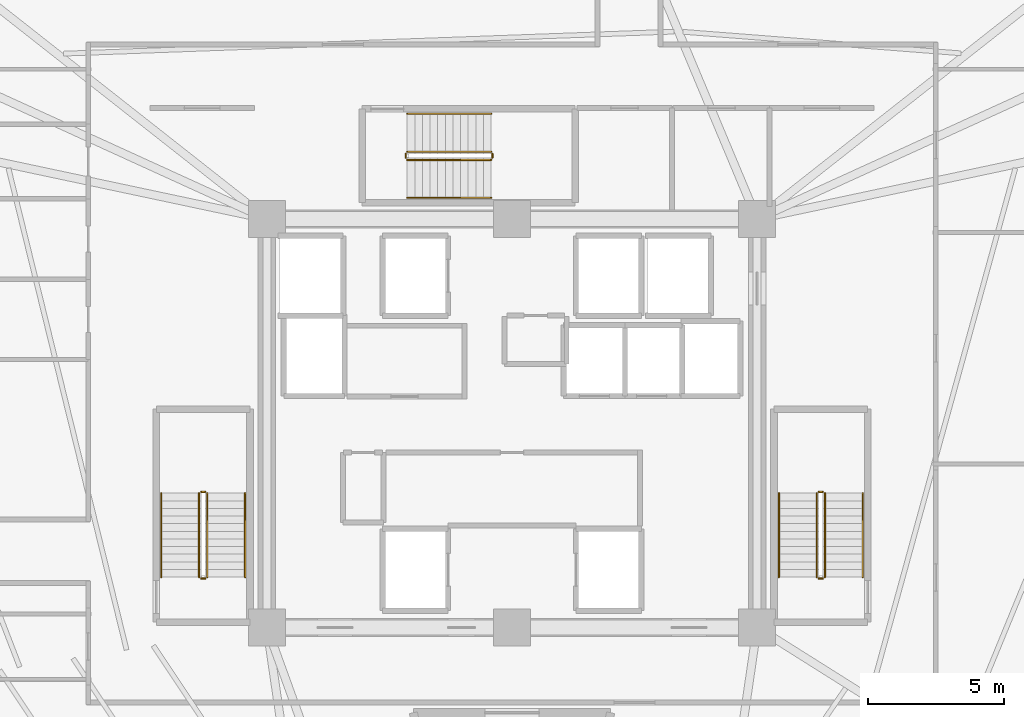
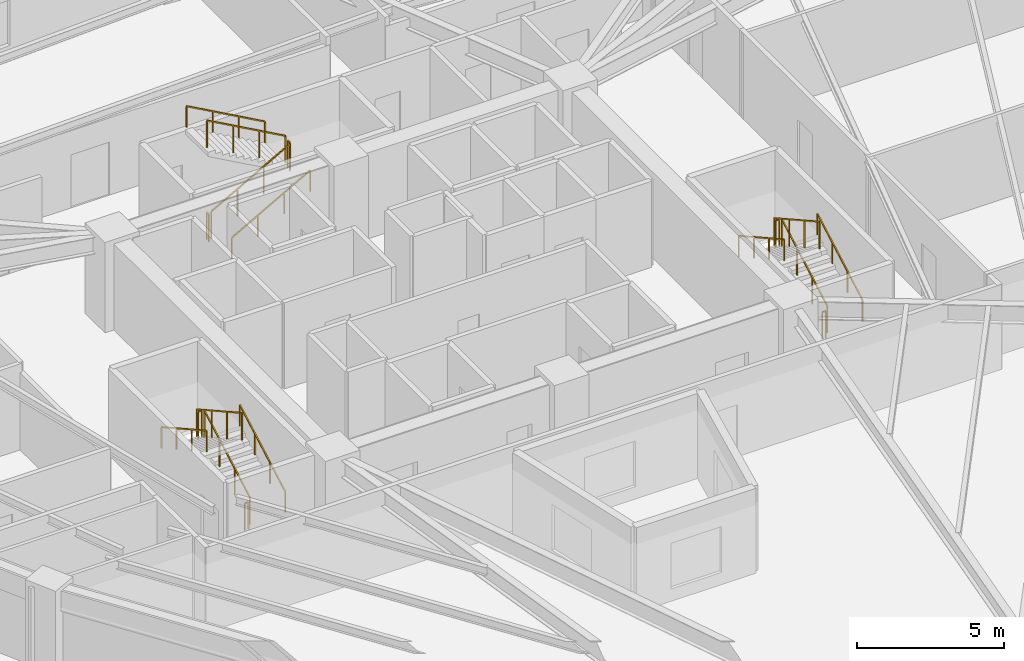
# One storey, part 9 of 9: 18 railings.
"""IFC4 building model written with IfcOpenShell, lengths in metres."""

from ifc_helpers import new_model, si_unit, direction, frame, origin, origin_2d, place, context, subcontext, project, spatial, rectangle, extrude, material, type_object, element, save


model = new_model("IFC4")

# Units and contexts
model_context = context("Model", 3, precision=1e-05, world=origin(), true_north=direction((0.0, 1.0)))
body_context = subcontext(model_context, "Body", "Model", "MODEL_VIEW")
ifc_project = project(units=[si_unit("LENGTHUNIT", "METRE"), si_unit("AREAUNIT", "SQUARE_METRE"), si_unit("VOLUMEUNIT", "CUBIC_METRE"), si_unit("PLANEANGLEUNIT", "RADIAN"), si_unit("MASSUNIT", "GRAM", prefix="KILO")], contexts=[model_context])

# Site, building, storey
site_placement = place(None, origin())
site = spatial("IfcSite", under=ifc_project, at=site_placement, CompositionType="ELEMENT")
building_placement = place(site_placement, origin())
building = spatial("IfcBuilding", under=site, at=building_placement, Name="Liaohun Quay Tower", CompositionType="ELEMENT")
storey_placement = place(building_placement, frame((0.0, 0.0, 258.75)))
storey = spatial("IfcBuildingStorey", under=building, at=storey_placement, Name="L67", CompositionType="ELEMENT", Elevation=258.75)

# Railings
ifc_material_1 = material(Name="Painted tubular steel", Category="steel")
railing_type_1 = type_object("IfcRailingType", Name="RLG-GUARD-STR", PredefinedType="GUARDRAIL", material=ifc_material_1)
railing_1_placement = place(storey_placement, frame((48.81005859375, 48.35009765625, 0.15625)))
element("IfcRailing", 1, at=railing_1_placement, inside=storey, type_object=railing_type_1, Name="L67 ST-1 stair guard 1", PredefinedType="GUARDRAIL", context=body_context, shape_type="SweptSolid", body=[
    extrude(rectangle(XDim=0.048095703125, YDim=0.048095703125, at=origin_2d()), frame((0.0, 0.0, 1.1259765625), z_axis=(0.0, 0.873225103656, 0.487317061414), x_axis=(-1.0, 0.0, 0.0)), (0.0, 0.0, 1.0), 3.52685546875),
    extrude(rectangle(XDim=0.0419921875, YDim=0.0419921875, at=origin_2d()), origin(), (0.0, 0.0, 1.0), 1.101806640625),
    extrude(rectangle(XDim=0.0419921875, YDim=0.0419921875, at=origin_2d()), frame((0.0, 1.026611328125, 0.572998046875)), (0.0, 0.0, 1.0), 1.101806640625),
    extrude(rectangle(XDim=0.0419921875, YDim=0.0419921875, at=origin_2d()), frame((0.0, 2.05322265625, 1.145751953125)), (0.0, 0.0, 1.0), 1.101806640625),
    extrude(rectangle(XDim=0.0419921875, YDim=0.0419921875, at=origin_2d()), frame((0.0, 3.079833984375, 1.71875)), (0.0, 0.0, 1.0), 1.101806640625),
])
railing_2_placement = place(storey_placement, frame((48.72998046875, 51.47998046875, 1.875)))
element("IfcRailing", 2, at=railing_2_placement, inside=storey, type_object=railing_type_1, Name="L67 ST-1 stair guard 2", PredefinedType="GUARDRAIL", context=body_context, shape_type="SweptSolid", body=[
    extrude(rectangle(XDim=0.048095703125, YDim=0.048095703125, at=origin_2d()), frame((0.0, 0.0, 1.1259765625), z_axis=(-1.0, 0.0, 0.0), x_axis=(0.0, -1.0, 0.0)), (0.0, 0.0, 1.0), 0.139892578125),
    extrude(rectangle(XDim=0.0419921875, YDim=0.0419921875, at=origin_2d()), origin(), (0.0, 0.0, 1.0), 1.101806640625),
    extrude(rectangle(XDim=0.0419921875, YDim=0.0419921875, at=origin_2d()), frame((-0.139892578125, 0.0, 0.0)), (0.0, 0.0, 1.0), 1.101806640625),
])
railing_3_placement = place(storey_placement, frame((48.510009765625, 51.429931640625, 2.03125)))
element("IfcRailing", 3, at=railing_3_placement, inside=storey, type_object=railing_type_1, Name="L67 ST-1 stair guard 3", PredefinedType="GUARDRAIL", context=body_context, shape_type="SweptSolid", body=[
    extrude(rectangle(XDim=0.048095703125, YDim=0.048095703125, at=origin_2d()), frame((0.0, 0.0, 1.1259765625), z_axis=(0.0, -0.873225103656, 0.487317061414), x_axis=(1.0, 0.0, 0.0)), (0.0, 0.0, 1.0), 3.52685546875),
    extrude(rectangle(XDim=0.0419921875, YDim=0.0419921875, at=origin_2d()), origin(), (0.0, 0.0, 1.0), 1.101806640625),
    extrude(rectangle(XDim=0.0419921875, YDim=0.0419921875, at=origin_2d()), frame((0.0, -1.026611328125, 0.572998046875)), (0.0, 0.0, 1.0), 1.101806640625),
    extrude(rectangle(XDim=0.0419921875, YDim=0.0419921875, at=origin_2d()), frame((0.0, -2.05322265625, 1.145751953125)), (0.0, 0.0, 1.0), 1.101806640625),
    extrude(rectangle(XDim=0.0419921875, YDim=0.0419921875, at=origin_2d()), frame((0.0, -3.079833984375, 1.71875)), (0.0, 0.0, 1.0), 1.101806640625),
])
railing_4_placement = place(storey_placement, frame((48.72998046875, 48.300048828125, 0.0)))
element("IfcRailing", 4, at=railing_4_placement, inside=storey, type_object=railing_type_1, Name="L67 ST-1 stair guard 4", PredefinedType="GUARDRAIL", context=body_context, shape_type="SweptSolid", body=[
    extrude(rectangle(XDim=0.048095703125, YDim=0.048095703125, at=origin_2d()), frame((0.0, 0.0, 1.1259765625), z_axis=(-1.0, 0.0, 0.0), x_axis=(0.0, -1.0, 0.0)), (0.0, 0.0, 1.0), 0.139892578125),
    extrude(rectangle(XDim=0.0419921875, YDim=0.0419921875, at=origin_2d()), origin(), (0.0, 0.0, 1.0), 1.101806640625),
    extrude(rectangle(XDim=0.0419921875, YDim=0.0419921875, at=origin_2d()), frame((-0.139892578125, 0.0, 0.0)), (0.0, 0.0, 1.0), 1.101806640625),
])
railing_5_placement = place(storey_placement, frame((71.489990234375, 48.35009765625, 0.15625)))
element("IfcRailing", 5, at=railing_5_placement, inside=storey, type_object=railing_type_1, Name="L67 ST-2 stair guard 1", PredefinedType="GUARDRAIL", context=body_context, shape_type="SweptSolid", body=[
    extrude(rectangle(XDim=0.048095703125, YDim=0.048095703125, at=origin_2d()), frame((0.0, 0.0, 1.1259765625), z_axis=(0.0, 0.873225103656, 0.487317061414), x_axis=(-1.0, 0.0, 0.0)), (0.0, 0.0, 1.0), 3.52685546875),
    extrude(rectangle(XDim=0.0419921875, YDim=0.0419921875, at=origin_2d()), origin(), (0.0, 0.0, 1.0), 1.101806640625),
    extrude(rectangle(XDim=0.0419921875, YDim=0.0419921875, at=origin_2d()), frame((0.0, 1.026611328125, 0.572998046875)), (0.0, 0.0, 1.0), 1.101806640625),
    extrude(rectangle(XDim=0.0419921875, YDim=0.0419921875, at=origin_2d()), frame((0.0, 2.05322265625, 1.145751953125)), (0.0, 0.0, 1.0), 1.101806640625),
    extrude(rectangle(XDim=0.0419921875, YDim=0.0419921875, at=origin_2d()), frame((0.0, 3.079833984375, 1.71875)), (0.0, 0.0, 1.0), 1.101806640625),
])
railing_6_placement = place(storey_placement, frame((71.409912109375, 51.47998046875, 1.875)))
element("IfcRailing", 6, at=railing_6_placement, inside=storey, type_object=railing_type_1, Name="L67 ST-2 stair guard 2", PredefinedType="GUARDRAIL", context=body_context, shape_type="SweptSolid", body=[
    extrude(rectangle(XDim=0.048095703125, YDim=0.048095703125, at=origin_2d()), frame((0.0, 0.0, 1.1259765625), z_axis=(-1.0, 0.0, 0.0), x_axis=(0.0, -1.0, 0.0)), (0.0, 0.0, 1.0), 0.139892578125),
    extrude(rectangle(XDim=0.0419921875, YDim=0.0419921875, at=origin_2d()), origin(), (0.0, 0.0, 1.0), 1.101806640625),
    extrude(rectangle(XDim=0.0419921875, YDim=0.0419921875, at=origin_2d()), frame((-0.139892578125, 0.0, 0.0)), (0.0, 0.0, 1.0), 1.101806640625),
])
railing_7_placement = place(storey_placement, frame((71.18994140625, 51.429931640625, 2.03125)))
element("IfcRailing", 7, at=railing_7_placement, inside=storey, type_object=railing_type_1, Name="L67 ST-2 stair guard 3", PredefinedType="GUARDRAIL", context=body_context, shape_type="SweptSolid", body=[
    extrude(rectangle(XDim=0.048095703125, YDim=0.048095703125, at=origin_2d()), frame((0.0, 0.0, 1.1259765625), z_axis=(0.0, -0.873225103656, 0.487317061414), x_axis=(1.0, 0.0, 0.0)), (0.0, 0.0, 1.0), 3.52685546875),
    extrude(rectangle(XDim=0.0419921875, YDim=0.0419921875, at=origin_2d()), origin(), (0.0, 0.0, 1.0), 1.101806640625),
    extrude(rectangle(XDim=0.0419921875, YDim=0.0419921875, at=origin_2d()), frame((0.0, -1.026611328125, 0.572998046875)), (0.0, 0.0, 1.0), 1.101806640625),
    extrude(rectangle(XDim=0.0419921875, YDim=0.0419921875, at=origin_2d()), frame((0.0, -2.05322265625, 1.145751953125)), (0.0, 0.0, 1.0), 1.101806640625),
    extrude(rectangle(XDim=0.0419921875, YDim=0.0419921875, at=origin_2d()), frame((0.0, -3.079833984375, 1.71875)), (0.0, 0.0, 1.0), 1.101806640625),
])
railing_8_placement = place(storey_placement, frame((71.409912109375, 48.300048828125, 0.0)))
element("IfcRailing", 8, at=railing_8_placement, inside=storey, type_object=railing_type_1, Name="L67 ST-2 stair guard 4", PredefinedType="GUARDRAIL", context=body_context, shape_type="SweptSolid", body=[
    extrude(rectangle(XDim=0.048095703125, YDim=0.048095703125, at=origin_2d()), frame((0.0, 0.0, 1.1259765625), z_axis=(-1.0, 0.0, 0.0), x_axis=(0.0, -1.0, 0.0)), (0.0, 0.0, 1.0), 0.139892578125),
    extrude(rectangle(XDim=0.0419921875, YDim=0.0419921875, at=origin_2d()), origin(), (0.0, 0.0, 1.0), 1.101806640625),
    extrude(rectangle(XDim=0.0419921875, YDim=0.0419921875, at=origin_2d()), frame((-0.139892578125, 0.0, 0.0)), (0.0, 0.0, 1.0), 1.101806640625),
])
railing_9_placement = place(storey_placement, frame((56.14990234375, 63.669921875, 0.15625)))
element("IfcRailing", 9, at=railing_9_placement, inside=storey, type_object=railing_type_1, Name="L67 ST-3 stair guard 1", PredefinedType="GUARDRAIL", context=body_context, shape_type="SweptSolid", body=[
    extrude(rectangle(XDim=0.048095703125, YDim=0.048095703125, at=origin_2d()), frame((0.0, 0.0, 1.1259765625), z_axis=(0.873241540666, 0.0, 0.487287606713), x_axis=(0.0, 1.0, 0.0)), (0.0, 0.0, 1.0), 3.527099609375),
    extrude(rectangle(XDim=0.0419921875, YDim=0.0419921875, at=origin_2d()), origin(), (0.0, 0.0, 1.0), 1.101806640625),
    extrude(rectangle(XDim=0.0419921875, YDim=0.0419921875, at=origin_2d()), frame((1.026611328125, 0.0, 0.572998046875)), (0.0, 0.0, 1.0), 1.101806640625),
    extrude(rectangle(XDim=0.0419921875, YDim=0.0419921875, at=origin_2d()), frame((2.053466796875, 0.0, 1.145751953125)), (0.0, 0.0, 1.0), 1.101806640625),
    extrude(rectangle(XDim=0.0419921875, YDim=0.0419921875, at=origin_2d()), frame((3.080078125, 0.0, 1.71875)), (0.0, 0.0, 1.0), 1.101806640625),
])
railing_10_placement = place(storey_placement, frame((59.280029296875, 63.75, 1.875)))
element("IfcRailing", 10, at=railing_10_placement, inside=storey, type_object=railing_type_1, Name="L67 ST-3 stair guard 2", PredefinedType="GUARDRAIL", context=body_context, shape_type="SweptSolid", body=[
    extrude(rectangle(XDim=0.048095703125, YDim=0.048095703125, at=origin_2d()), frame((0.0, 0.0, 1.1259765625), z_axis=(0.0, 1.0, 0.0), x_axis=(-1.0, 0.0, 0.0)), (0.0, 0.0, 1.0), 0.139892578125),
    extrude(rectangle(XDim=0.0419921875, YDim=0.0419921875, at=origin_2d()), origin(), (0.0, 0.0, 1.0), 1.101806640625),
    extrude(rectangle(XDim=0.0419921875, YDim=0.0419921875, at=origin_2d()), frame((0.0, 0.139892578125, 0.0)), (0.0, 0.0, 1.0), 1.101806640625),
])
railing_11_placement = place(storey_placement, frame((59.22998046875, 63.969970703125, 2.03125)))
element("IfcRailing", 11, at=railing_11_placement, inside=storey, type_object=railing_type_1, Name="L67 ST-3 stair guard 3", PredefinedType="GUARDRAIL", context=body_context, shape_type="SweptSolid", body=[
    extrude(rectangle(XDim=0.048095703125, YDim=0.048095703125, at=origin_2d()), frame((0.0, 0.0, 1.1259765625), z_axis=(-0.873241540666, 0.0, 0.487287606713), x_axis=(0.0, -1.0, 0.0)), (0.0, 0.0, 1.0), 3.527099609375),
    extrude(rectangle(XDim=0.0419921875, YDim=0.0419921875, at=origin_2d()), origin(), (0.0, 0.0, 1.0), 1.101806640625),
    extrude(rectangle(XDim=0.0419921875, YDim=0.0419921875, at=origin_2d()), frame((-1.026611328125, 0.0, 0.572998046875)), (0.0, 0.0, 1.0), 1.101806640625),
    extrude(rectangle(XDim=0.0419921875, YDim=0.0419921875, at=origin_2d()), frame((-2.053466796875, 0.0, 1.145751953125)), (0.0, 0.0, 1.0), 1.101806640625),
    extrude(rectangle(XDim=0.0419921875, YDim=0.0419921875, at=origin_2d()), frame((-3.080078125, 0.0, 1.71875)), (0.0, 0.0, 1.0), 1.101806640625),
])
railing_12_placement = place(storey_placement, frame((56.10009765625, 63.75, 0.0)))
element("IfcRailing", 12, at=railing_12_placement, inside=storey, type_object=railing_type_1, Name="L67 ST-3 stair guard 4", PredefinedType="GUARDRAIL", context=body_context, shape_type="SweptSolid", body=[
    extrude(rectangle(XDim=0.048095703125, YDim=0.048095703125, at=origin_2d()), frame((0.0, 0.0, 1.1259765625), z_axis=(0.0, 1.0, 0.0), x_axis=(-1.0, 0.0, 0.0)), (0.0, 0.0, 1.0), 0.139892578125),
    extrude(rectangle(XDim=0.0419921875, YDim=0.0419921875, at=origin_2d()), origin(), (0.0, 0.0, 1.0), 1.101806640625),
    extrude(rectangle(XDim=0.0419921875, YDim=0.0419921875, at=origin_2d()), frame((0.0, 0.139892578125, 0.0)), (0.0, 0.0, 1.0), 1.101806640625),
])
ifc_material_2 = material(Name="Brushed stainless steel", Category="steel")
railing_type_2 = type_object("IfcRailingType", Name="RLG-HND-STR", PredefinedType="HANDRAIL", material=ifc_material_2)
railing_13_placement = place(storey_placement, frame((50.199951171875, 48.35009765625, 0.15625)))
element("IfcRailing", 13, at=railing_13_placement, inside=storey, type_object=railing_type_2, Name="L67 ST-1 stair handrail 1", PredefinedType="HANDRAIL", context=body_context, shape_type="SweptSolid", body=[
    extrude(rectangle(XDim=0.048095703125, YDim=0.048095703125, at=origin_2d()), frame((0.0, 0.0, 0.8759765625), z_axis=(0.0, 0.873225103656, 0.487317061414), x_axis=(-1.0, 0.0, 0.0)), (0.0, 0.0, 1.0), 3.52685546875),
    extrude(rectangle(XDim=0.0419921875, YDim=0.0419921875, at=origin_2d()), origin(), (0.0, 0.0, 1.0), 0.851806640625),
    extrude(rectangle(XDim=0.0419921875, YDim=0.0419921875, at=origin_2d()), frame((0.0, 1.026611328125, 0.572998046875)), (0.0, 0.0, 1.0), 0.851806640625),
    extrude(rectangle(XDim=0.0419921875, YDim=0.0419921875, at=origin_2d()), frame((0.0, 2.05322265625, 1.145751953125)), (0.0, 0.0, 1.0), 0.851806640625),
    extrude(rectangle(XDim=0.0419921875, YDim=0.0419921875, at=origin_2d()), frame((0.0, 3.079833984375, 1.71875)), (0.0, 0.0, 1.0), 0.851806640625),
])
railing_14_placement = place(storey_placement, frame((47.1201171875, 51.429931640625, 2.03125)))
element("IfcRailing", 14, at=railing_14_placement, inside=storey, type_object=railing_type_2, Name="L67 ST-1 stair handrail 2", PredefinedType="HANDRAIL", context=body_context, shape_type="SweptSolid", body=[
    extrude(rectangle(XDim=0.048095703125, YDim=0.048095703125, at=origin_2d()), frame((0.0, 0.0, 0.8759765625), z_axis=(0.0, -0.873225103656, 0.487317061414), x_axis=(1.0, 0.0, 0.0)), (0.0, 0.0, 1.0), 3.52685546875),
    extrude(rectangle(XDim=0.0419921875, YDim=0.0419921875, at=origin_2d()), origin(), (0.0, 0.0, 1.0), 0.851806640625),
    extrude(rectangle(XDim=0.0419921875, YDim=0.0419921875, at=origin_2d()), frame((0.0, -1.026611328125, 0.572998046875)), (0.0, 0.0, 1.0), 0.851806640625),
    extrude(rectangle(XDim=0.0419921875, YDim=0.0419921875, at=origin_2d()), frame((0.0, -2.05322265625, 1.145751953125)), (0.0, 0.0, 1.0), 0.851806640625),
    extrude(rectangle(XDim=0.0419921875, YDim=0.0419921875, at=origin_2d()), frame((0.0, -3.079833984375, 1.71875)), (0.0, 0.0, 1.0), 0.851806640625),
])
railing_15_placement = place(storey_placement, frame((72.8798828125, 48.35009765625, 0.15625)))
element("IfcRailing", 15, at=railing_15_placement, inside=storey, type_object=railing_type_2, Name="L67 ST-2 stair handrail 1", PredefinedType="HANDRAIL", context=body_context, shape_type="SweptSolid", body=[
    extrude(rectangle(XDim=0.048095703125, YDim=0.048095703125, at=origin_2d()), frame((0.0, 0.0, 0.8759765625), z_axis=(0.0, 0.873225103656, 0.487317061414), x_axis=(-1.0, 0.0, 0.0)), (0.0, 0.0, 1.0), 3.52685546875),
    extrude(rectangle(XDim=0.0419921875, YDim=0.0419921875, at=origin_2d()), origin(), (0.0, 0.0, 1.0), 0.851806640625),
    extrude(rectangle(XDim=0.0419921875, YDim=0.0419921875, at=origin_2d()), frame((0.0, 1.026611328125, 0.572998046875)), (0.0, 0.0, 1.0), 0.851806640625),
    extrude(rectangle(XDim=0.0419921875, YDim=0.0419921875, at=origin_2d()), frame((0.0, 2.05322265625, 1.145751953125)), (0.0, 0.0, 1.0), 0.851806640625),
    extrude(rectangle(XDim=0.0419921875, YDim=0.0419921875, at=origin_2d()), frame((0.0, 3.079833984375, 1.71875)), (0.0, 0.0, 1.0), 0.851806640625),
])
railing_16_placement = place(storey_placement, frame((69.800048828125, 51.429931640625, 2.03125)))
element("IfcRailing", 16, at=railing_16_placement, inside=storey, type_object=railing_type_2, Name="L67 ST-2 stair handrail 2", PredefinedType="HANDRAIL", context=body_context, shape_type="SweptSolid", body=[
    extrude(rectangle(XDim=0.048095703125, YDim=0.048095703125, at=origin_2d()), frame((0.0, 0.0, 0.8759765625), z_axis=(0.0, -0.873225103656, 0.487317061414), x_axis=(1.0, 0.0, 0.0)), (0.0, 0.0, 1.0), 3.52685546875),
    extrude(rectangle(XDim=0.0419921875, YDim=0.0419921875, at=origin_2d()), origin(), (0.0, 0.0, 1.0), 0.851806640625),
    extrude(rectangle(XDim=0.0419921875, YDim=0.0419921875, at=origin_2d()), frame((0.0, -1.026611328125, 0.572998046875)), (0.0, 0.0, 1.0), 0.851806640625),
    extrude(rectangle(XDim=0.0419921875, YDim=0.0419921875, at=origin_2d()), frame((0.0, -2.05322265625, 1.145751953125)), (0.0, 0.0, 1.0), 0.851806640625),
    extrude(rectangle(XDim=0.0419921875, YDim=0.0419921875, at=origin_2d()), frame((0.0, -3.079833984375, 1.71875)), (0.0, 0.0, 1.0), 0.851806640625),
])
railing_17_placement = place(storey_placement, frame((56.14990234375, 62.280029296875, 0.15625)))
element("IfcRailing", 17, at=railing_17_placement, inside=storey, type_object=railing_type_2, Name="L67 ST-3 stair handrail 1", PredefinedType="HANDRAIL", context=body_context, shape_type="SweptSolid", body=[
    extrude(rectangle(XDim=0.048095703125, YDim=0.048095703125, at=origin_2d()), frame((0.0, 0.0, 0.8759765625), z_axis=(0.873241540666, 0.0, 0.487287606713), x_axis=(0.0, 1.0, 0.0)), (0.0, 0.0, 1.0), 3.527099609375),
    extrude(rectangle(XDim=0.0419921875, YDim=0.0419921875, at=origin_2d()), origin(), (0.0, 0.0, 1.0), 0.851806640625),
    extrude(rectangle(XDim=0.0419921875, YDim=0.0419921875, at=origin_2d()), frame((1.026611328125, 0.0, 0.572998046875)), (0.0, 0.0, 1.0), 0.851806640625),
    extrude(rectangle(XDim=0.0419921875, YDim=0.0419921875, at=origin_2d()), frame((2.053466796875, 0.0, 1.145751953125)), (0.0, 0.0, 1.0), 0.851806640625),
    extrude(rectangle(XDim=0.0419921875, YDim=0.0419921875, at=origin_2d()), frame((3.080078125, 0.0, 1.71875)), (0.0, 0.0, 1.0), 0.851806640625),
])
railing_18_placement = place(storey_placement, frame((59.22998046875, 65.360107421875, 2.03125)))
element("IfcRailing", 18, at=railing_18_placement, inside=storey, type_object=railing_type_2, Name="L67 ST-3 stair handrail 2", PredefinedType="HANDRAIL", context=body_context, shape_type="SweptSolid", body=[
    extrude(rectangle(XDim=0.048095703125, YDim=0.048095703125, at=origin_2d()), frame((0.0, 0.0, 0.8759765625), z_axis=(-0.873241540666, 0.0, 0.487287606713), x_axis=(0.0, -1.0, 0.0)), (0.0, 0.0, 1.0), 3.527099609375),
    extrude(rectangle(XDim=0.0419921875, YDim=0.0419921875, at=origin_2d()), origin(), (0.0, 0.0, 1.0), 0.851806640625),
    extrude(rectangle(XDim=0.0419921875, YDim=0.0419921875, at=origin_2d()), frame((-1.026611328125, 0.0, 0.572998046875)), (0.0, 0.0, 1.0), 0.851806640625),
    extrude(rectangle(XDim=0.0419921875, YDim=0.0419921875, at=origin_2d()), frame((-2.053466796875, 0.0, 1.145751953125)), (0.0, 0.0, 1.0), 0.851806640625),
    extrude(rectangle(XDim=0.0419921875, YDim=0.0419921875, at=origin_2d()), frame((-3.080078125, 0.0, 1.71875)), (0.0, 0.0, 1.0), 0.851806640625),
])

save(model, "model.ifc")
